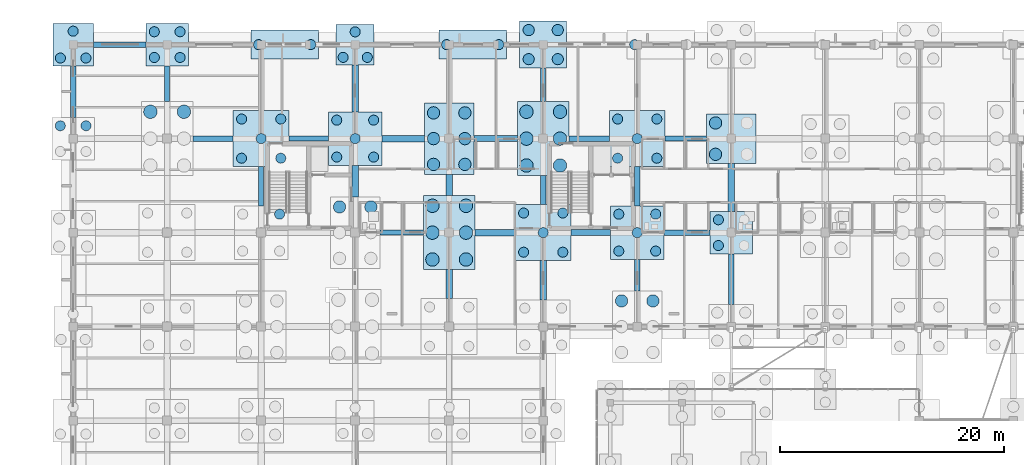
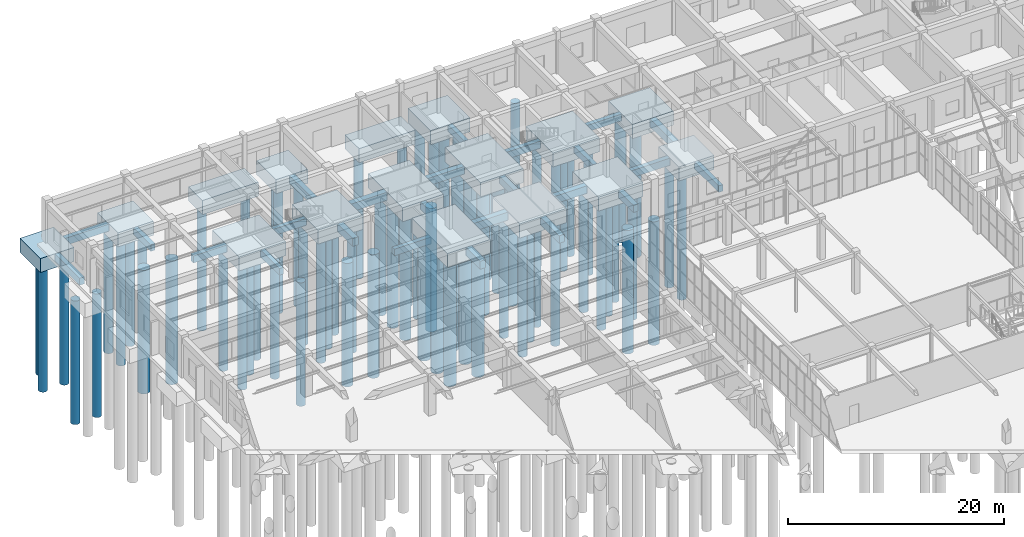
# One storey, part 9 of 192: 75 piles, 41 footings.
"""IFC4 building model written with IfcOpenShell, lengths in metres."""

from ifc_helpers import new_model, si_unit, direction, frame, origin, origin_2d, place, context, subcontext, project, spatial, rectangle, circle, extrude, material, layer, layer_set, material_profile, profile_set, type_object, element, save


model = new_model("IFC4")

# Units and contexts
model_context = context("Model", 3, precision=1e-05, world=origin(), true_north=direction((0.0, 1.0)))
body_context = subcontext(model_context, "Body", "Model", "MODEL_VIEW")
ifc_project = project(units=[si_unit("LENGTHUNIT", "METRE"), si_unit("AREAUNIT", "SQUARE_METRE"), si_unit("VOLUMEUNIT", "CUBIC_METRE"), si_unit("PLANEANGLEUNIT", "RADIAN"), si_unit("MASSUNIT", "GRAM", prefix="KILO")], contexts=[model_context])

# Site, building, storey
site_placement = place(None, origin())
site = spatial("IfcSite", under=ifc_project, at=site_placement, CompositionType="ELEMENT")
building_placement = place(site_placement, origin())
building = spatial("IfcBuilding", under=site, at=building_placement, Name="Trelvath General Hospital", CompositionType="ELEMENT")
storey_placement = place(building_placement, origin())
storey = spatial("IfcBuildingStorey", under=building, at=storey_placement, Name="L00", CompositionType="ELEMENT", Elevation=0.0)

# Piles
ifc_material_1 = material(Name="Concrete C35/45", Category="concrete")
ifc_material_profile_1 = material_profile(ifc_material_1, circle(Radius=0.5, at=origin_2d()), Name="PILE1000")
ifc_profile_set_1 = profile_set([ifc_material_profile_1], Name="Concrete C35/45")
pile_type_1 = type_object("IfcPileType", Name="BoredPile D1000", PredefinedType="BORED", material=ifc_profile_set_1)
for number, where, z_axis, x_axis, name in (
    (1, (40.699951171875, 116.300048828125, -1.800048828125), (0.0, 0.0, -1.0), (1.0, 0.0, 0.0), "Bored Pile P-0362"),
    (2, (43.300048828125, 116.300048828125, -1.800048828125), (0.0, 0.0, -1.0), (1.0, 0.0, 0.0), "Bored Pile P-0363"),
    (3, (40.699951171875, 118.89990234375, -1.800048828125), (0.0, 0.0, -1.0), (1.0, 0.0, 0.0), "Bored Pile P-0364"),
    (4, (43.300048828125, 118.89990234375, -1.800048828125), (0.0, 0.0, -1.0), (1.0, 0.0, 0.0), "Bored Pile P-0365"),
):
    element("IfcPile", number, at=place(storey_placement, frame(where, z_axis=z_axis, x_axis=x_axis)), inside=storey, type_object=pile_type_1, Name=name, PredefinedType="BORED", context=body_context, shape_type="SweptSolid", body=[
        extrude(circle(Radius=0.5, at=origin_2d()), origin(), (0.0, 0.0, 1.0), 14.0),
    ])
ifc_material_2 = material(Name="Concrete C35/45", Category="concrete")
ifc_material_profile_2 = material_profile(ifc_material_2, circle(Radius=0.550048828125, at=origin_2d()), Name="PILE1100")
ifc_profile_set_2 = profile_set([ifc_material_profile_2], Name="Concrete C35/45")
pile_type_2 = type_object("IfcPileType", Name="BoredPile D1100", PredefinedType="BORED", material=ifc_profile_set_2)
for number, where, z_axis, x_axis, name in (
    (5, (23.800048828125, 103.10009765625, -1.800048828125), (0.0, 0.0, -1.0), (1.0, 0.0, 0.0), "Bored Pile P-0229"),
    (6, (26.60009765625, 103.10009765625, -1.800048828125), (0.0, 0.0, -1.0), (1.0, 0.0, 0.0), "Bored Pile P-0230"),
    (7, (32.199951171875, 106.89990234375, -1.800048828125), (0.0, 0.0, -1.0), (1.0, 0.0, 0.0), "Bored Pile P-0292"),
    (8, (35.0, 106.89990234375, -1.800048828125), (0.0, 0.0, -1.0), (1.0, 0.0, 0.0), "Bored Pile P-0293"),
    (9, (32.199951171875, 109.199951171875, -1.800048828125), (0.0, 0.0, -1.0), (1.0, 0.0, 0.0), "Bored Pile P-0294"),
    (10, (35.0, 109.199951171875, -1.800048828125), (0.0, 0.0, -1.0), (1.0, 0.0, 0.0), "Bored Pile P-0295"),
    (11, (32.199951171875, 111.5, -1.800048828125), (0.0, 0.0, -1.0), (1.0, 0.0, 0.0), "Bored Pile P-0296"),
    (12, (35.0, 111.5, -1.800048828125), (0.0, 0.0, -1.0), (1.0, 0.0, 0.0), "Bored Pile P-0297"),
    (13, (49.0, 94.699951171875, -1.800048828125), (0.0, 0.0, -1.0), (1.0, 0.0, 0.0), "Bored Pile P-0400"),
    (14, (51.800048828125, 94.699951171875, -1.800048828125), (0.0, 0.0, -1.0), (1.0, 0.0, 0.0), "Bored Pile P-0401"),
    (15, (57.39990234375, 107.800048828125, -1.800048828125), (0.0, 0.0, -1.0), (1.0, 0.0, 0.0), "Bored Pile P-0460"),
    (16, (57.39990234375, 110.60009765625, -1.800048828125), (0.0, 0.0, -1.0), (1.0, 0.0, 0.0), "Bored Pile P-0462"),
):
    element("IfcPile", number, at=place(storey_placement, frame(where, z_axis=z_axis, x_axis=x_axis)), inside=storey, type_object=pile_type_2, Name=name, PredefinedType="BORED", context=body_context, shape_type="SweptSolid", body=[
        extrude(circle(Radius=0.550048828125, at=origin_2d()), origin(), (0.0, 0.0, 1.0), 14.0),
    ])
ifc_material_3 = material(Name="Concrete C35/45", Category="concrete")
ifc_material_profile_3 = material_profile(ifc_material_3, circle(Radius=0.60009765625, at=origin_2d()), Name="PILE1200")
ifc_profile_set_3 = profile_set([ifc_material_profile_3], Name="Concrete C35/45")
pile_type_3 = type_object("IfcPileType", Name="BoredPile D1200", PredefinedType="BORED", material=ifc_profile_set_3)
for number, where, z_axis, x_axis, name in (
    (17, (6.89990234375, 111.60009765625, -1.800048828125), (0.0, 0.0, -1.0), (1.0, 0.0, 0.0), "Bored Pile P-0108"),
    (18, (9.89990234375, 111.60009765625, -1.800048828125), (0.0, 0.0, -1.0), (1.0, 0.0, 0.0), "Bored Pile P-0109"),
    (19, (32.10009765625, 98.39990234375, -1.800048828125), (0.0, 0.0, -1.0), (1.0, 0.0, 0.0), "Bored Pile P-0286"),
    (20, (35.10009765625, 98.39990234375, -1.800048828125), (0.0, 0.0, -1.0), (1.0, 0.0, 0.0), "Bored Pile P-0287"),
    (21, (32.10009765625, 100.800048828125, -1.800048828125), (0.0, 0.0, -1.0), (1.0, 0.0, 0.0), "Bored Pile P-0288"),
    (22, (35.10009765625, 100.800048828125, -1.800048828125), (0.0, 0.0, -1.0), (1.0, 0.0, 0.0), "Bored Pile P-0289"),
    (23, (32.10009765625, 103.199951171875, -1.800048828125), (0.0, 0.0, -1.0), (1.0, 0.0, 0.0), "Bored Pile P-0290"),
    (24, (35.10009765625, 103.199951171875, -1.800048828125), (0.0, 0.0, -1.0), (1.0, 0.0, 0.0), "Bored Pile P-0291"),
    (25, (40.5, 106.800048828125, -1.800048828125), (0.0, 0.0, -1.0), (1.0, 0.0, 0.0), "Bored Pile P-0356"),
    (26, (43.5, 106.800048828125, -1.800048828125), (0.0, 0.0, -1.0), (1.0, 0.0, 0.0), "Bored Pile P-0357"),
    (27, (40.5, 109.199951171875, -1.800048828125), (0.0, 0.0, -1.0), (1.0, 0.0, 0.0), "Bored Pile P-0358"),
    (28, (43.5, 109.199951171875, -1.800048828125), (0.0, 0.0, -1.0), (1.0, 0.0, 0.0), "Bored Pile P-0359"),
    (29, (40.5, 111.60009765625, -1.800048828125), (0.0, 0.0, -1.0), (1.0, 0.0, 0.0), "Bored Pile P-0360"),
    (30, (43.5, 111.60009765625, -1.800048828125), (0.0, 0.0, -1.0), (1.0, 0.0, 0.0), "Bored Pile P-0361"),
):
    element("IfcPile", number, at=place(storey_placement, frame(where, z_axis=z_axis, x_axis=x_axis)), inside=storey, type_object=pile_type_3, Name=name, PredefinedType="BORED", context=body_context, shape_type="SweptSolid", body=[
        extrude(circle(Radius=0.60009765625, at=origin_2d()), origin(), (0.0, 0.0, 1.0), 14.0),
    ])
ifc_material_4 = material(Name="Concrete C35/45", Category="concrete")
ifc_material_profile_4 = material_profile(ifc_material_4, circle(Radius=0.449951171875, at=origin_2d()), Name="PILE900")
ifc_profile_set_4 = profile_set([ifc_material_profile_4], Name="Concrete C35/45")
pile_type_4 = type_object("IfcPileType", Name="BoredPile D900", PredefinedType="BORED", material=ifc_profile_set_4)
for number, where, z_axis, x_axis, name in (
    (31, (-1.14990234375, 110.35009765625, -1.800048828125), (0.0, 0.0, -1.0), (1.0, 0.0, 0.0), "Bored Pile P-0044"),
    (32, (1.14990234375, 110.35009765625, -1.800048828125), (0.0, 0.0, -1.0), (1.0, 0.0, 0.0), "Bored Pile P-0045"),
    (33, (-1.139892578125, 116.39990234375, -1.800048828125), (0.0, 0.0, -1.0), (1.0, 0.0, 0.0), "Bored Pile P-0046"),
    (34, (1.139892578125, 116.39990234375, -1.800048828125), (0.0, 0.0, -1.0), (1.0, 0.0, 0.0), "Bored Pile P-0047"),
    (35, (0.0, 118.800048828125, -1.800048828125), (0.0, 0.0, -1.0), (1.0, 0.0, 0.0), "Bored Pile P-0048"),
    (36, (7.25, 116.449951171875, -1.800048828125), (0.0, 0.0, -1.0), (1.0, 0.0, 0.0), "Bored Pile P-0110"),
    (37, (9.550048828125, 116.449951171875, -1.800048828125), (0.0, 0.0, -1.0), (1.0, 0.0, 0.0), "Bored Pile P-0111"),
    (38, (7.25, 118.75, -1.800048828125), (0.0, 0.0, -1.0), (1.0, 0.0, 0.0), "Bored Pile P-0112"),
    (39, (9.550048828125, 118.75, -1.800048828125), (0.0, 0.0, -1.0), (1.0, 0.0, 0.0), "Bored Pile P-0113"),
    (40, (18.449951171875, 102.449951171875, -1.800048828125), (0.0, 0.0, -1.0), (1.0, 0.0, 0.0), "Bored Pile P-0167"),
    (41, (15.050048828125, 107.449951171875, -1.800048828125), (0.0, 0.0, -1.0), (1.0, 0.0, 0.0), "Bored Pile P-0168"),
    (42, (18.550048828125, 107.449951171875, -1.800048828125), (0.0, 0.0, -1.0), (1.0, 0.0, 0.0), "Bored Pile P-0169"),
    (43, (16.800048828125, 109.199951171875, -1.800048828125), (0.0, 0.0, -1.0), (1.0, 0.0, 0.0), "Bored Pile P-0170"),
    (44, (15.050048828125, 110.949951171875, -1.800048828125), (0.0, 0.0, -1.0), (1.0, 0.0, 0.0), "Bored Pile P-0171"),
    (45, (18.550048828125, 110.949951171875, -1.800048828125), (0.0, 0.0, -1.0), (1.0, 0.0, 0.0), "Bored Pile P-0172"),
    (46, (16.570068359375, 117.60009765625, -1.800048828125), (0.0, 0.0, -1.0), (1.0, 0.0, 0.0), "Bored Pile P-0173"),
    (47, (21.22998046875, 117.60009765625, -1.800048828125), (0.0, 0.0, -1.0), (1.0, 0.0, 0.0), "Bored Pile P-0174"),
    (48, (23.550048828125, 107.550048828125, -1.800048828125), (0.0, 0.0, -1.0), (1.0, 0.0, 0.0), "Bored Pile P-0231"),
    (49, (26.85009765625, 107.550048828125, -1.800048828125), (0.0, 0.0, -1.0), (1.0, 0.0, 0.0), "Bored Pile P-0232"),
    (50, (25.199951171875, 109.199951171875, -1.800048828125), (0.0, 0.0, -1.0), (1.0, 0.0, 0.0), "Bored Pile P-0233"),
    (51, (23.550048828125, 110.85009765625, -1.800048828125), (0.0, 0.0, -1.0), (1.0, 0.0, 0.0), "Bored Pile P-0234"),
    (52, (26.85009765625, 110.85009765625, -1.800048828125), (0.0, 0.0, -1.0), (1.0, 0.0, 0.0), "Bored Pile P-0235"),
    (53, (24.1201171875, 116.4599609375, -1.800048828125), (0.0, 0.0, -1.0), (1.0, 0.0, 0.0), "Bored Pile P-0236"),
    (54, (26.280029296875, 116.4599609375, -1.800048828125), (0.0, 0.0, -1.0), (1.0, 0.0, 0.0), "Bored Pile P-0237"),
    (55, (25.199951171875, 118.739990234375, -1.800048828125), (0.0, 0.0, -1.0), (1.0, 0.0, 0.0), "Bored Pile P-0238"),
    (56, (33.3701171875, 117.60009765625, -1.800048828125), (0.0, 0.0, -1.0), (1.0, 0.0, 0.0), "Bored Pile P-0298"),
    (57, (38.030029296875, 117.60009765625, -1.800048828125), (0.0, 0.0, -1.0), (1.0, 0.0, 0.0), "Bored Pile P-0299"),
    (58, (40.25, 99.050048828125, -1.800048828125), (0.0, 0.0, -1.0), (1.0, 0.0, 0.0), "Bored Pile P-0351"),
    (59, (43.75, 99.050048828125, -1.800048828125), (0.0, 0.0, -1.0), (1.0, 0.0, 0.0), "Bored Pile P-0352"),
    (60, (42.0, 100.800048828125, -1.800048828125), (0.0, 0.0, -1.0), (1.0, 0.0, 0.0), "Bored Pile P-0353"),
    (61, (40.25, 102.550048828125, -1.800048828125), (0.0, 0.0, -1.0), (1.0, 0.0, 0.0), "Bored Pile P-0354"),
    (62, (43.75, 102.550048828125, -1.800048828125), (0.0, 0.0, -1.0), (1.0, 0.0, 0.0), "Bored Pile P-0355"),
    (63, (48.75, 99.14990234375, -1.800048828125), (0.0, 0.0, -1.0), (1.0, 0.0, 0.0), "Bored Pile P-0402"),
    (64, (52.050048828125, 99.14990234375, -1.800048828125), (0.0, 0.0, -1.0), (1.0, 0.0, 0.0), "Bored Pile P-0403"),
    (65, (50.39990234375, 100.800048828125, -1.800048828125), (0.0, 0.0, -1.0), (1.0, 0.0, 0.0), "Bored Pile P-0404"),
    (66, (48.75, 102.449951171875, -1.800048828125), (0.0, 0.0, -1.0), (1.0, 0.0, 0.0), "Bored Pile P-0405"),
    (67, (52.050048828125, 102.449951171875, -1.800048828125), (0.0, 0.0, -1.0), (1.0, 0.0, 0.0), "Bored Pile P-0406"),
    (68, (48.64990234375, 107.449951171875, -1.800048828125), (0.0, 0.0, -1.0), (1.0, 0.0, 0.0), "Bored Pile P-0407"),
    (69, (52.14990234375, 107.449951171875, -1.800048828125), (0.0, 0.0, -1.0), (1.0, 0.0, 0.0), "Bored Pile P-0408"),
    (70, (50.39990234375, 109.199951171875, -1.800048828125), (0.0, 0.0, -1.0), (1.0, 0.0, 0.0), "Bored Pile P-0409"),
    (71, (48.64990234375, 110.949951171875, -1.800048828125), (0.0, 0.0, -1.0), (1.0, 0.0, 0.0), "Bored Pile P-0410"),
    (72, (52.14990234375, 110.949951171875, -1.800048828125), (0.0, 0.0, -1.0), (1.0, 0.0, 0.0), "Bored Pile P-0411"),
    (73, (50.169921875, 117.60009765625, -1.800048828125), (0.0, 0.0, -1.0), (1.0, 0.0, 0.0), "Bored Pile P-0412"),
    (74, (57.64990234375, 99.64990234375, -1.800048828125), (0.0, 0.0, -1.0), (1.0, 0.0, 0.0), "Bored Pile P-0456"),
    (75, (57.64990234375, 101.949951171875, -1.800048828125), (0.0, 0.0, -1.0), (1.0, 0.0, 0.0), "Bored Pile P-0458"),
):
    element("IfcPile", number, at=place(storey_placement, frame(where, z_axis=z_axis, x_axis=x_axis)), inside=storey, type_object=pile_type_4, Name=name, PredefinedType="BORED", context=body_context, shape_type="SweptSolid", body=[
        extrude(circle(Radius=0.449951171875, at=origin_2d()), origin(), (0.0, 0.0, 1.0), 14.0),
    ])

# Footings
ifc_material_5 = material(Name="Concrete C35/45", Category="concrete")
ifc_layer_1 = layer(ifc_material_5, 1.60009765625)
ifc_layer_set_1 = layer_set([ifc_layer_1], Name="Concrete C35/45")
footing_type_1 = type_object("IfcFootingType", Name="PileCap 3P 340x360", PredefinedType="PILE_CAP", material=ifc_layer_set_1)
footing_1_placement = place(storey_placement, frame((25.199951171875, 117.60009765625, -1.900146484375), z_axis=(0.0, 0.0, 1.0), x_axis=(1.0, 0.0, 0.0)))
element("IfcFooting", 76, at=footing_1_placement, inside=storey, type_object=footing_type_1, Name="Pile Cap PC-060", PredefinedType="PILE_CAP", context=body_context, shape_type="SweptSolid", body=[
    extrude(rectangle(XDim=3.39990234375, YDim=3.60009765625, at=origin_2d()), origin(), (0.0, 0.0, 1.0), 1.60009765625),
])
ifc_material_6 = material(Name="Concrete C35/45", Category="concrete")
ifc_layer_2 = layer(ifc_material_6, 1.60009765625)
ifc_layer_set_2 = layer_set([ifc_layer_2], Name="Concrete C35/45")
footing_type_2 = type_object("IfcFootingType", Name="PileCap 3P 360x380", PredefinedType="PILE_CAP", material=ifc_layer_set_2)
footing_2_placement = place(storey_placement, frame((0.0, 117.60009765625, -1.900146484375), z_axis=(0.0, 0.0, 1.0), x_axis=(1.0, 0.0, 0.0)))
element("IfcFooting", 77, at=footing_2_placement, inside=storey, type_object=footing_type_2, Name="Pile Cap PC-015", PredefinedType="PILE_CAP", context=body_context, shape_type="SweptSolid", body=[
    extrude(rectangle(XDim=3.60009765625, YDim=3.800048828125, at=origin_2d()), origin(), (0.0, 0.0, 1.0), 1.60009765625),
])
ifc_material_7 = material(Name="Concrete C35/45", Category="concrete")
ifc_layer_3 = layer(ifc_material_7, 1.60009765625)
ifc_layer_set_3 = layer_set([ifc_layer_3], Name="Concrete C35/45")
footing_type_3 = type_object("IfcFootingType", Name="PileCap 4P 380x380", PredefinedType="PILE_CAP", material=ifc_layer_set_3)
for number, where, z_axis, x_axis, name in (
    (78, (8.39990234375, 117.60009765625, -1.900146484375), (0.0, 0.0, 1.0), (1.0, 0.0, 0.0), "Pile Cap PC-030"),
    (79, (58.800048828125, 100.800048828125, -1.900146484375), (0.0, 0.0, 1.0), (1.0, 0.0, 0.0), "Pile Cap PC-120"),
):
    element("IfcFooting", number, at=place(storey_placement, frame(where, z_axis=z_axis, x_axis=x_axis)), inside=storey, type_object=footing_type_3, Name=name, PredefinedType="PILE_CAP", context=body_context, shape_type="SweptSolid", body=[
        extrude(rectangle(XDim=3.800048828125, YDim=3.800048828125, at=origin_2d()), origin(), (0.0, 0.0, 1.0), 1.60009765625),
    ])
ifc_material_8 = material(Name="Concrete C35/45", Category="concrete")
ifc_layer_4 = layer(ifc_material_8, 1.60009765625)
ifc_layer_set_4 = layer_set([ifc_layer_4], Name="Concrete C35/45")
footing_type_4 = type_object("IfcFootingType", Name="PileCap 4P 420x420", PredefinedType="PILE_CAP", material=ifc_layer_set_4)
footing_3_placement = place(storey_placement, frame((42.0, 117.60009765625, -1.900146484375), z_axis=(0.0, 0.0, 1.0), x_axis=(1.0, 0.0, 0.0)))
element("IfcFooting", 80, at=footing_3_placement, inside=storey, type_object=footing_type_4, Name="Pile Cap PC-090", PredefinedType="PILE_CAP", context=body_context, shape_type="SweptSolid", body=[
    extrude(rectangle(XDim=4.199951171875, YDim=4.199951171875, at=origin_2d()), origin(), (0.0, 0.0, 1.0), 1.60009765625),
])
ifc_material_9 = material(Name="Concrete C35/45", Category="concrete")
ifc_layer_5 = layer(ifc_material_9, 1.60009765625)
ifc_layer_set_5 = layer_set([ifc_layer_5], Name="Concrete C35/45")
footing_type_5 = type_object("IfcFootingType", Name="PileCap 4P 440x440", PredefinedType="PILE_CAP", material=ifc_layer_set_5)
footing_4_placement = place(storey_placement, frame((58.800048828125, 109.199951171875, -1.900146484375), z_axis=(0.0, 0.0, 1.0), x_axis=(1.0, 0.0, 0.0)))
element("IfcFooting", 81, at=footing_4_placement, inside=storey, type_object=footing_type_5, Name="Pile Cap PC-121", PredefinedType="PILE_CAP", context=body_context, shape_type="SweptSolid", body=[
    extrude(rectangle(XDim=4.39990234375, YDim=4.39990234375, at=origin_2d()), origin(), (0.0, 0.0, 1.0), 1.60009765625),
])
ifc_material_10 = material(Name="Concrete C35/45", Category="concrete")
ifc_layer_6 = layer(ifc_material_10, 1.60009765625)
ifc_layer_set_6 = layer_set([ifc_layer_6], Name="Concrete C35/45")
footing_type_6 = type_object("IfcFootingType", Name="PileCap 5P 480x480", PredefinedType="PILE_CAP", material=ifc_layer_set_6)
for number, where, z_axis, x_axis, name in (
    (82, (25.199951171875, 109.199951171875, -1.900146484375), (0.0, 0.0, 1.0), (1.0, 0.0, 0.0), "Pile Cap PC-059"),
    (83, (50.39990234375, 100.800048828125, -1.900146484375), (0.0, 0.0, 1.0), (1.0, 0.0, 0.0), "Pile Cap PC-103"),
):
    element("IfcFooting", number, at=place(storey_placement, frame(where, z_axis=z_axis, x_axis=x_axis)), inside=storey, type_object=footing_type_6, Name=name, PredefinedType="PILE_CAP", context=body_context, shape_type="SweptSolid", body=[
        extrude(rectangle(XDim=4.800048828125, YDim=4.800048828125, at=origin_2d()), origin(), (0.0, 0.0, 1.0), 1.60009765625),
    ])
ifc_material_11 = material(Name="Concrete C35/45", Category="concrete")
ifc_layer_7 = layer(ifc_material_11, 1.60009765625)
ifc_layer_set_7 = layer_set([ifc_layer_7], Name="Concrete C35/45")
footing_type_7 = type_object("IfcFootingType", Name="PileCap 5P 500x500", PredefinedType="PILE_CAP", material=ifc_layer_set_7)
for number, where, z_axis, x_axis, name in (
    (84, (16.800048828125, 109.199951171875, -1.900146484375), (0.0, 0.0, 1.0), (1.0, 0.0, 0.0), "Pile Cap PC-044"),
    (85, (42.0, 100.800048828125, -1.900146484375), (0.0, 0.0, 1.0), (1.0, 0.0, 0.0), "Pile Cap PC-088"),
    (86, (50.39990234375, 109.199951171875, -1.900146484375), (0.0, 0.0, 1.0), (1.0, 0.0, 0.0), "Pile Cap PC-104"),
):
    element("IfcFooting", number, at=place(storey_placement, frame(where, z_axis=z_axis, x_axis=x_axis)), inside=storey, type_object=footing_type_7, Name=name, PredefinedType="PILE_CAP", context=body_context, shape_type="SweptSolid", body=[
        extrude(rectangle(XDim=5.0, YDim=5.0, at=origin_2d()), origin(), (0.0, 0.0, 1.0), 1.60009765625),
    ])
ifc_material_12 = material(Name="Concrete C35/45", Category="concrete")
ifc_layer_8 = layer(ifc_material_12, 1.60009765625)
ifc_layer_set_8 = layer_set([ifc_layer_8], Name="Concrete C35/45")
footing_type_8 = type_object("IfcFootingType", Name="PileCap 6P 440x640", PredefinedType="PILE_CAP", material=ifc_layer_set_8)
footing_5_placement = place(storey_placement, frame((33.60009765625, 109.199951171875, -1.900146484375), z_axis=(0.0, 0.0, 1.0), x_axis=(1.0, 0.0, 0.0)))
element("IfcFooting", 87, at=footing_5_placement, inside=storey, type_object=footing_type_8, Name="Pile Cap PC-074", PredefinedType="PILE_CAP", context=body_context, shape_type="SweptSolid", body=[
    extrude(rectangle(XDim=4.39990234375, YDim=6.39990234375, at=origin_2d()), origin(), (0.0, 0.0, 1.0), 1.60009765625),
])
ifc_material_13 = material(Name="Concrete C35/45", Category="concrete")
ifc_layer_9 = layer(ifc_material_13, 1.60009765625)
ifc_layer_set_9 = layer_set([ifc_layer_9], Name="Concrete C35/45")
footing_type_9 = type_object("IfcFootingType", Name="PileCap 6P 460x660", PredefinedType="PILE_CAP", material=ifc_layer_set_9)
for number, where, z_axis, x_axis, name in (
    (88, (33.60009765625, 100.800048828125, -1.900146484375), (0.0, 0.0, 1.0), (1.0, 0.0, 0.0), "Pile Cap PC-073"),
    (89, (42.0, 109.199951171875, -1.900146484375), (0.0, 0.0, 1.0), (1.0, 0.0, 0.0), "Pile Cap PC-089"),
):
    element("IfcFooting", number, at=place(storey_placement, frame(where, z_axis=z_axis, x_axis=x_axis)), inside=storey, type_object=footing_type_9, Name=name, PredefinedType="PILE_CAP", context=body_context, shape_type="SweptSolid", body=[
        extrude(rectangle(XDim=4.60009765625, YDim=6.60009765625, at=origin_2d()), origin(), (0.0, 0.0, 1.0), 1.60009765625),
    ])
ifc_material_14 = material(Name="Concrete C35/45", Category="concrete")
ifc_layer_10 = layer(ifc_material_14, 1.60009765625)
ifc_layer_set_10 = layer_set([ifc_layer_10], Name="Concrete C35/45")
footing_type_10 = type_object("IfcFootingType", Name="PileCap Comb 600x260", PredefinedType="PILE_CAP", material=ifc_layer_set_10)
for number, where, z_axis, x_axis, name in (
    (90, (18.89990234375, 117.60009765625, -1.900146484375), (0.0, 0.0, 1.0), (1.0, 0.0, 0.0), "Pile Cap PC-045"),
    (91, (35.699951171875, 117.60009765625, -1.900146484375), (0.0, 0.0, 1.0), (1.0, 0.0, 0.0), "Pile Cap PC-075"),
):
    element("IfcFooting", number, at=place(storey_placement, frame(where, z_axis=z_axis, x_axis=x_axis)), inside=storey, type_object=footing_type_10, Name=name, PredefinedType="PILE_CAP", context=body_context, shape_type="SweptSolid", body=[
        extrude(rectangle(XDim=6.0, YDim=2.60009765625, at=origin_2d()), origin(), (0.0, 0.0, 1.0), 1.60009765625),
    ])
ifc_material_15 = material(Name="Concrete C35/45", Category="concrete")
ifc_layer_11 = layer(ifc_material_15, 0.75)
ifc_layer_set_11 = layer_set([ifc_layer_11], Name="Concrete C35/45")
footing_type_11 = type_object("IfcFootingType", Name="TieBeam 450x750", PredefinedType="FOOTING_BEAM", material=ifc_layer_set_11)
footing_6_placement = place(storey_placement, frame((8.39990234375, 114.10009765625, -1.050048828125), z_axis=(0.0, 0.0, 1.0), x_axis=(1.0, 0.0, 0.0)))
element("IfcFooting", 92, at=footing_6_placement, inside=storey, type_object=footing_type_11, Name="Foundation Tie Beam TB-041", PredefinedType="FOOTING_BEAM", context=body_context, shape_type="SweptSolid", body=[
    extrude(rectangle(XDim=0.449951171875, YDim=3.199951171875, at=origin_2d()), origin(), (0.0, 0.0, 1.0), 0.75),
])
footing_7_placement = place(storey_placement, frame((16.800048828125, 104.949951171875, -1.050048828125), z_axis=(0.0, 0.0, 1.0), x_axis=(1.0, 0.0, 0.0)))
element("IfcFooting", 93, at=footing_7_placement, inside=storey, type_object=footing_type_11, Name="Foundation Tie Beam TB-065", PredefinedType="FOOTING_BEAM", context=body_context, shape_type="SweptSolid", body=[
    extrude(rectangle(XDim=0.449951171875, YDim=3.5, at=origin_2d()), origin(), (0.0, 0.0, 1.0), 0.75),
])
footing_8_placement = place(storey_placement, frame((21.050048828125, 109.199951171875, -1.050048828125), z_axis=(0.0, 0.0, 1.0), x_axis=(1.0, 0.0, 0.0)))
element("IfcFooting", 94, at=footing_8_placement, inside=storey, type_object=footing_type_11, Name="Foundation Tie Beam TB-066", PredefinedType="FOOTING_BEAM", context=body_context, shape_type="SweptSolid", body=[
    extrude(rectangle(XDim=3.5, YDim=0.449951171875, at=origin_2d()), origin(), (0.0, 0.0, 1.0), 0.75),
])
footing_9_placement = place(storey_placement, frame((29.35009765625, 100.800048828125, -1.050048828125), z_axis=(0.0, 0.0, 1.0), x_axis=(1.0, 0.0, 0.0)))
element("IfcFooting", 95, at=footing_9_placement, inside=storey, type_object=footing_type_11, Name="Foundation Tie Beam TB-090", PredefinedType="FOOTING_BEAM", context=body_context, shape_type="SweptSolid", body=[
    extrude(rectangle(XDim=3.89990234375, YDim=0.449951171875, at=origin_2d()), origin(), (0.0, 0.0, 1.0), 0.75),
])
footing_10_placement = place(storey_placement, frame((42.0, 114.0, -1.050048828125), z_axis=(0.0, 0.0, 1.0), x_axis=(1.0, 0.0, 0.0)))
element("IfcFooting", 96, at=footing_10_placement, inside=storey, type_object=footing_type_11, Name="Foundation Tie Beam TB-138", PredefinedType="FOOTING_BEAM", context=body_context, shape_type="SweptSolid", body=[
    extrude(rectangle(XDim=0.449951171875, YDim=3.0, at=origin_2d()), origin(), (0.0, 0.0, 1.0), 0.75),
])
footing_11_placement = place(storey_placement, frame((50.39990234375, 104.949951171875, -1.050048828125), z_axis=(0.0, 0.0, 1.0), x_axis=(1.0, 0.0, 0.0)))
element("IfcFooting", 97, at=footing_11_placement, inside=storey, type_object=footing_type_11, Name="Foundation Tie Beam TB-147", PredefinedType="FOOTING_BEAM", context=body_context, shape_type="SweptSolid", body=[
    extrude(rectangle(XDim=0.449951171875, YDim=3.5, at=origin_2d()), origin(), (0.0, 0.0, 1.0), 0.75),
])
footing_12_placement = place(storey_placement, frame((54.75, 109.199951171875, -1.050048828125), z_axis=(0.0, 0.0, 1.0), x_axis=(1.0, 0.0, 0.0)))
element("IfcFooting", 98, at=footing_12_placement, inside=storey, type_object=footing_type_11, Name="Foundation Tie Beam TB-148", PredefinedType="FOOTING_BEAM", context=body_context, shape_type="SweptSolid", body=[
    extrude(rectangle(XDim=3.699951171875, YDim=0.449951171875, at=origin_2d()), origin(), (0.0, 0.0, 1.0), 0.75),
])
footing_13_placement = place(storey_placement, frame((58.800048828125, 96.64990234375, -1.050048828125), z_axis=(0.0, 0.0, 1.0), x_axis=(1.0, 0.0, 0.0)))
element("IfcFooting", 99, at=footing_13_placement, inside=storey, type_object=footing_type_11, Name="Foundation Tie Beam TB-156", PredefinedType="FOOTING_BEAM", context=body_context, shape_type="SweptSolid", body=[
    extrude(rectangle(XDim=0.449951171875, YDim=4.5, at=origin_2d()), origin(), (0.0, 0.0, 1.0), 0.75),
])
ifc_material_16 = material(Name="Concrete C35/45", Category="concrete")
ifc_layer_12 = layer(ifc_material_16, 0.800048828125)
ifc_layer_set_12 = layer_set([ifc_layer_12], Name="Concrete C35/45")
footing_type_12 = type_object("IfcFootingType", Name="TieBeam 500x800", PredefinedType="FOOTING_BEAM", material=ifc_layer_set_12)
footing_14_placement = place(storey_placement, frame((0.0, 113.39990234375, -1.10009765625), z_axis=(0.0, 0.0, 1.0), x_axis=(1.0, 0.0, 0.0)))
element("IfcFooting", 100, at=footing_14_placement, inside=storey, type_object=footing_type_12, Name="Foundation Tie Beam TB-013", PredefinedType="FOOTING_BEAM", context=body_context, shape_type="SweptSolid", body=[
    extrude(rectangle(XDim=0.5, YDim=4.60009765625, at=origin_2d()), origin(), (0.0, 0.0, 1.0), 0.800048828125),
])
footing_15_placement = place(storey_placement, frame((4.14990234375, 117.60009765625, -1.10009765625), z_axis=(0.0, 0.0, 1.0), x_axis=(1.0, 0.0, 0.0)))
element("IfcFooting", 101, at=footing_15_placement, inside=storey, type_object=footing_type_12, Name="Foundation Tie Beam TB-014", PredefinedType="FOOTING_BEAM", context=body_context, shape_type="SweptSolid", body=[
    extrude(rectangle(XDim=4.699951171875, YDim=0.5, at=origin_2d()), origin(), (0.0, 0.0, 1.0), 0.800048828125),
])
footing_16_placement = place(storey_placement, frame((12.5, 109.199951171875, -1.10009765625), z_axis=(0.0, 0.0, 1.0), x_axis=(1.0, 0.0, 0.0)))
element("IfcFooting", 102, at=footing_16_placement, inside=storey, type_object=footing_type_12, Name="Foundation Tie Beam TB-040", PredefinedType="FOOTING_BEAM", context=body_context, shape_type="SweptSolid", body=[
    extrude(rectangle(XDim=3.60009765625, YDim=0.5, at=origin_2d()), origin(), (0.0, 0.0, 1.0), 0.800048828125),
])
footing_17_placement = place(storey_placement, frame((42.0, 104.60009765625, -1.10009765625), z_axis=(0.0, 0.0, 1.0), x_axis=(1.0, 0.0, 0.0)))
element("IfcFooting", 103, at=footing_17_placement, inside=storey, type_object=footing_type_12, Name="Foundation Tie Beam TB-136", PredefinedType="FOOTING_BEAM", context=body_context, shape_type="SweptSolid", body=[
    extrude(rectangle(XDim=0.5, YDim=2.60009765625, at=origin_2d()), origin(), (0.0, 0.0, 1.0), 0.800048828125),
])
footing_18_placement = place(storey_placement, frame((46.10009765625, 109.199951171875, -1.10009765625), z_axis=(0.0, 0.0, 1.0), x_axis=(1.0, 0.0, 0.0)))
element("IfcFooting", 104, at=footing_18_placement, inside=storey, type_object=footing_type_12, Name="Foundation Tie Beam TB-137", PredefinedType="FOOTING_BEAM", context=body_context, shape_type="SweptSolid", body=[
    extrude(rectangle(XDim=3.60009765625, YDim=0.5, at=origin_2d()), origin(), (0.0, 0.0, 1.0), 0.800048828125),
])
footing_19_placement = place(storey_placement, frame((50.39990234375, 97.0, -1.10009765625), z_axis=(0.0, 0.0, 1.0), x_axis=(1.0, 0.0, 0.0)))
element("IfcFooting", 105, at=footing_19_placement, inside=storey, type_object=footing_type_12, Name="Foundation Tie Beam TB-145", PredefinedType="FOOTING_BEAM", context=body_context, shape_type="SweptSolid", body=[
    extrude(rectangle(XDim=0.5, YDim=2.800048828125, at=origin_2d()), origin(), (0.0, 0.0, 1.0), 0.800048828125),
])
footing_20_placement = place(storey_placement, frame((54.85009765625, 100.800048828125, -1.10009765625), z_axis=(0.0, 0.0, 1.0), x_axis=(1.0, 0.0, 0.0)))
element("IfcFooting", 106, at=footing_20_placement, inside=storey, type_object=footing_type_12, Name="Foundation Tie Beam TB-146", PredefinedType="FOOTING_BEAM", context=body_context, shape_type="SweptSolid", body=[
    extrude(rectangle(XDim=4.10009765625, YDim=0.5, at=origin_2d()), origin(), (0.0, 0.0, 1.0), 0.800048828125),
])
ifc_material_17 = material(Name="Concrete C35/45", Category="concrete")
ifc_layer_13 = layer(ifc_material_17, 0.85009765625)
ifc_layer_set_13 = layer_set([ifc_layer_13], Name="Concrete C35/45")
footing_type_13 = type_object("IfcFootingType", Name="TieBeam 550x850", PredefinedType="FOOTING_BEAM", material=ifc_layer_set_13)
footing_21_placement = place(storey_placement, frame((25.199951171875, 113.699951171875, -1.150146484375), z_axis=(0.0, 0.0, 1.0), x_axis=(1.0, 0.0, 0.0)))
element("IfcFooting", 107, at=footing_21_placement, inside=storey, type_object=footing_type_13, Name="Foundation Tie Beam TB-093", PredefinedType="FOOTING_BEAM", context=body_context, shape_type="SweptSolid", body=[
    extrude(rectangle(XDim=0.550048828125, YDim=4.199951171875, at=origin_2d()), origin(), (0.0, 0.0, 1.0), 0.85009765625),
])
footing_22_placement = place(storey_placement, frame((33.60009765625, 105.050048828125, -1.150146484375), z_axis=(0.0, 0.0, 1.0), x_axis=(1.0, 0.0, 0.0)))
element("IfcFooting", 108, at=footing_22_placement, inside=storey, type_object=footing_type_13, Name="Foundation Tie Beam TB-117", PredefinedType="FOOTING_BEAM", context=body_context, shape_type="SweptSolid", body=[
    extrude(rectangle(XDim=0.550048828125, YDim=1.89990234375, at=origin_2d()), origin(), (0.0, 0.0, 1.0), 0.85009765625),
])
footing_23_placement = place(storey_placement, frame((37.75, 109.199951171875, -1.150146484375), z_axis=(0.0, 0.0, 1.0), x_axis=(1.0, 0.0, 0.0)))
element("IfcFooting", 109, at=footing_23_placement, inside=storey, type_object=footing_type_13, Name="Foundation Tie Beam TB-118", PredefinedType="FOOTING_BEAM", context=body_context, shape_type="SweptSolid", body=[
    extrude(rectangle(XDim=3.89990234375, YDim=0.550048828125, at=origin_2d()), origin(), (0.0, 0.0, 1.0), 0.85009765625),
])
footing_24_placement = place(storey_placement, frame((42.0, 96.550048828125, -1.150146484375), z_axis=(0.0, 0.0, 1.0), x_axis=(1.0, 0.0, 0.0)))
element("IfcFooting", 110, at=footing_24_placement, inside=storey, type_object=footing_type_13, Name="Foundation Tie Beam TB-134", PredefinedType="FOOTING_BEAM", context=body_context, shape_type="SweptSolid", body=[
    extrude(rectangle(XDim=0.550048828125, YDim=3.5, at=origin_2d()), origin(), (0.0, 0.0, 1.0), 0.85009765625),
])
footing_25_placement = place(storey_placement, frame((46.25, 100.800048828125, -1.150146484375), z_axis=(0.0, 0.0, 1.0), x_axis=(1.0, 0.0, 0.0)))
element("IfcFooting", 111, at=footing_25_placement, inside=storey, type_object=footing_type_13, Name="Foundation Tie Beam TB-135", PredefinedType="FOOTING_BEAM", context=body_context, shape_type="SweptSolid", body=[
    extrude(rectangle(XDim=3.5, YDim=0.550048828125, at=origin_2d()), origin(), (0.0, 0.0, 1.0), 0.85009765625),
])
ifc_material_18 = material(Name="Concrete C35/45", Category="concrete")
ifc_layer_14 = layer(ifc_material_18, 0.89990234375)
ifc_layer_set_14 = layer_set([ifc_layer_14], Name="Concrete C35/45")
footing_type_14 = type_object("IfcFootingType", Name="TieBeam 600x900", PredefinedType="FOOTING_BEAM", material=ifc_layer_set_14)
footing_26_placement = place(storey_placement, frame((25.199951171875, 105.39990234375, -1.199951171875), z_axis=(0.0, 0.0, 1.0), x_axis=(1.0, 0.0, 0.0)))
element("IfcFooting", 112, at=footing_26_placement, inside=storey, type_object=footing_type_14, Name="Foundation Tie Beam TB-091", PredefinedType="FOOTING_BEAM", context=body_context, shape_type="SweptSolid", body=[
    extrude(rectangle(XDim=0.60009765625, YDim=2.800048828125, at=origin_2d()), origin(), (0.0, 0.0, 1.0), 0.89990234375),
])
footing_27_placement = place(storey_placement, frame((29.5, 109.199951171875, -1.199951171875), z_axis=(0.0, 0.0, 1.0), x_axis=(1.0, 0.0, 0.0)))
element("IfcFooting", 113, at=footing_27_placement, inside=storey, type_object=footing_type_14, Name="Foundation Tie Beam TB-092", PredefinedType="FOOTING_BEAM", context=body_context, shape_type="SweptSolid", body=[
    extrude(rectangle(XDim=3.800048828125, YDim=0.60009765625, at=origin_2d()), origin(), (0.0, 0.0, 1.0), 0.89990234375),
])
footing_28_placement = place(storey_placement, frame((33.60009765625, 96.199951171875, -1.199951171875), z_axis=(0.0, 0.0, 1.0), x_axis=(1.0, 0.0, 0.0)))
element("IfcFooting", 114, at=footing_28_placement, inside=storey, type_object=footing_type_14, Name="Foundation Tie Beam TB-115", PredefinedType="FOOTING_BEAM", context=body_context, shape_type="SweptSolid", body=[
    extrude(rectangle(XDim=0.60009765625, YDim=2.60009765625, at=origin_2d()), origin(), (0.0, 0.0, 1.0), 0.89990234375),
])
footing_29_placement = place(storey_placement, frame((37.699951171875, 100.800048828125, -1.199951171875), z_axis=(0.0, 0.0, 1.0), x_axis=(1.0, 0.0, 0.0)))
element("IfcFooting", 115, at=footing_29_placement, inside=storey, type_object=footing_type_14, Name="Foundation Tie Beam TB-116", PredefinedType="FOOTING_BEAM", context=body_context, shape_type="SweptSolid", body=[
    extrude(rectangle(XDim=3.60009765625, YDim=0.60009765625, at=origin_2d()), origin(), (0.0, 0.0, 1.0), 0.89990234375),
])
footing_30_placement = place(storey_placement, frame((58.800048828125, 104.85009765625, -1.199951171875), z_axis=(0.0, 0.0, 1.0), x_axis=(1.0, 0.0, 0.0)))
element("IfcFooting", 116, at=footing_30_placement, inside=storey, type_object=footing_type_14, Name="Foundation Tie Beam TB-158", PredefinedType="FOOTING_BEAM", context=body_context, shape_type="SweptSolid", body=[
    extrude(rectangle(XDim=0.60009765625, YDim=4.300048828125, at=origin_2d()), origin(), (0.0, 0.0, 1.0), 0.89990234375),
])

save(model, "model.ifc")
